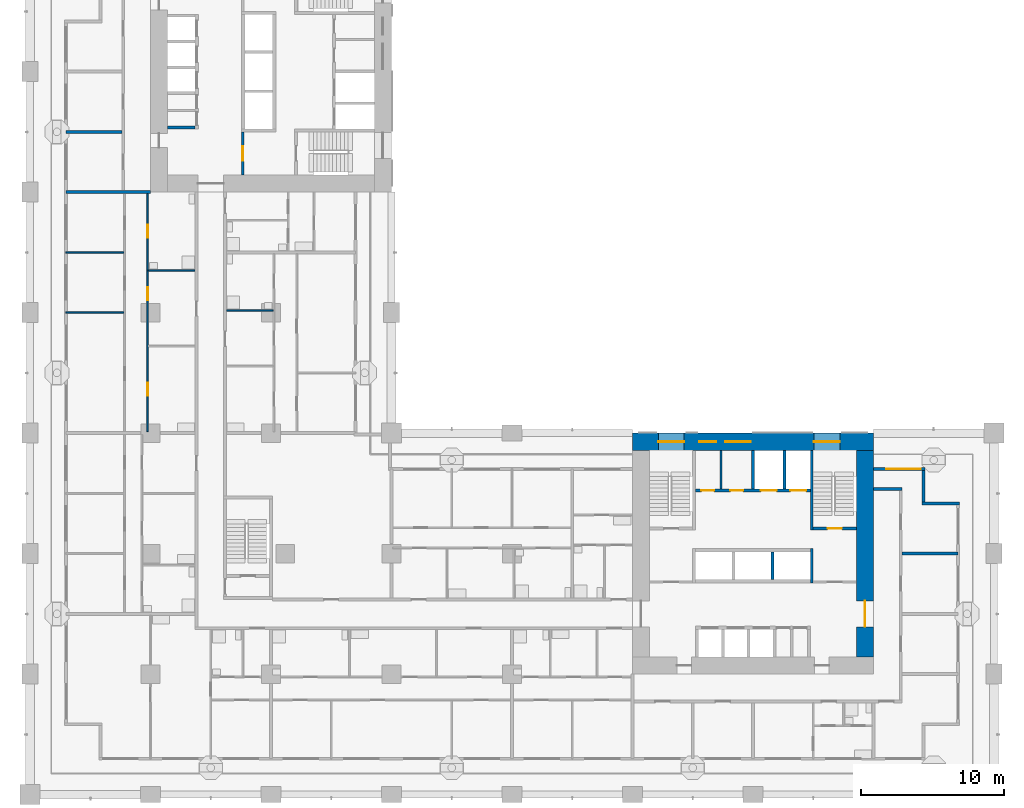
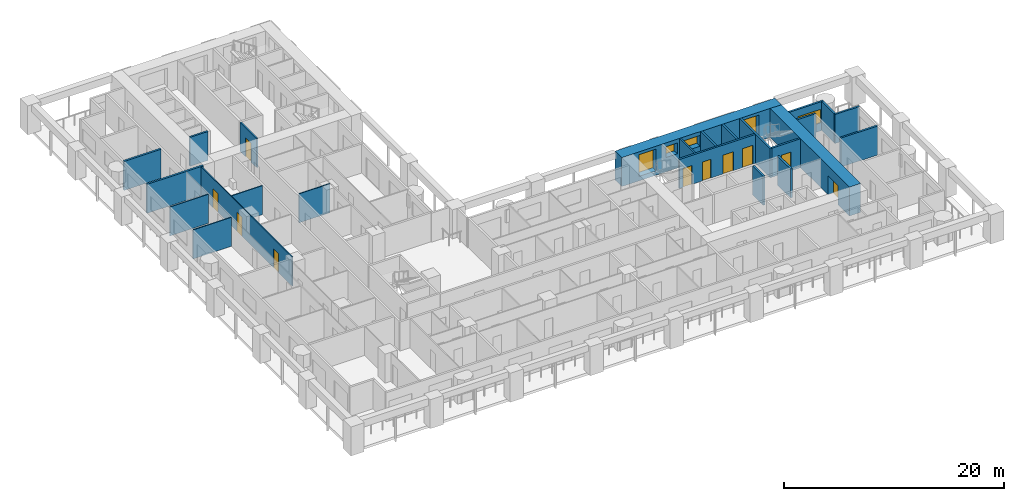
# One storey, part 7 of 20: 24 walls, 10 doors, 5 windows, 15 openings.
"""IFC4 building model written with IfcOpenShell, lengths in metres."""

import ifcopenshell
import ifcopenshell.guid

model = None  # the IFC model being written
_history = None  # IfcOwnerHistory: only IFC2X3 demands one
_inside = {}  # id of a spatial element -> (the spatial element, [elements in it])
_under = {}  # id of a project, library or spatial element -> (it, [spatial elements below it])
_declared = {}  # id of a project -> (the project, [libraries it declares])
_typed = {}  # id of a type object -> (the type object, [elements of that type])
_made_of = {}  # id of a material, layer set ... -> (it, [elements and type objects made of it])


def new_model(schema):
    """Start an empty IFC model of exactly this schema.

    Asked for "IFC4X3", IfcOpenShell would pick the latest addendum, in which some entities
    have other attributes; the version numbers below select the first issue.
    IFC2X3 requires an IfcOwnerHistory on every rooted entity: one is made here for all.
    """
    global model, _history
    if schema == "IFC4X3":
        model = ifcopenshell.file(schema_version=(4, 3, 0, 0))
    else:
        model = ifcopenshell.file(schema=schema)
    _inside.clear()
    _under.clear()
    _declared.clear()
    _typed.clear()
    _made_of.clear()
    _history = None
    if model.schema == "IFC2X3":
        org = make("IfcOrganization", Name="unknown")
        user = make(
            "IfcPersonAndOrganization",
            ThePerson=make("IfcPerson", FamilyName="unknown"),
            TheOrganization=org,
        )
        app = make(
            "IfcApplication",
            ApplicationDeveloper=org,
            Version="unknown",
            ApplicationFullName="unknown",
            ApplicationIdentifier="unknown",
        )
        _history = make(
            "IfcOwnerHistory",
            OwningUser=user,
            OwningApplication=app,
            ChangeAction="ADDED",
            CreationDate=0,
        )
    return model


def make(cls, **values):
    """One entity of the class cls with the attributes given. An attribute that is None is left unset."""
    return model.create_entity(
        cls, **{name: value for name, value in values.items() if value is not None}
    )


def rooted(cls, **values):
    """An entity with a GlobalId (a new one), such as an element, a storey or a relation."""
    return make(cls, GlobalId=ifcopenshell.guid.new(), OwnerHistory=_history, **values)


def si_unit(unit_type, name, prefix=None):
    """IfcSIUnit, for example si_unit("LENGTHUNIT", "METRE", prefix="MILLI")."""
    return make("IfcSIUnit", UnitType=unit_type, Prefix=prefix, Name=name)


def assignment(units):
    """IfcUnitAssignment: the units of a project."""
    return None if units is None else make("IfcUnitAssignment", Units=units)


def point(xyz):
    """IfcCartesianPoint."""
    return None if xyz is None else make("IfcCartesianPoint", Coordinates=xyz)


def direction(xyz):
    """IfcDirection."""
    return None if xyz is None else make("IfcDirection", DirectionRatios=xyz)


def frame(location, z_axis=None, x_axis=None):
    """IfcAxis2Placement3D, a coordinate frame: its origin and axes. An axis left out is left unset."""
    return make(
        "IfcAxis2Placement3D",
        Location=point(location),
        Axis=direction(z_axis),
        RefDirection=direction(x_axis),
    )


def frame_2d(location, x_axis=None):
    """IfcAxis2Placement2D, a coordinate frame in the plane: its origin and x axis."""
    return make(
        "IfcAxis2Placement2D", Location=point(location), RefDirection=direction(x_axis)
    )


def origin():
    """The frame at (0, 0, 0) with its axes left unset."""
    return frame((0.0, 0.0, 0.0))


def place(relative_to, where):
    """IfcLocalPlacement: puts the frame where relative to a parent placement (None: the world)."""
    return make(
        "IfcLocalPlacement", PlacementRelTo=relative_to, RelativePlacement=where
    )


def context(
    kind, dimensions, precision=None, world=None, true_north=None, identifier=None
):
    """IfcGeometricRepresentationContext, for example the 3D "Model" context."""
    return make(
        "IfcGeometricRepresentationContext",
        ContextIdentifier=identifier,
        ContextType=kind,
        CoordinateSpaceDimension=dimensions,
        Precision=precision,
        WorldCoordinateSystem=world,
        TrueNorth=true_north,
    )


def subcontext(parent, identifier, kind, view, scale=None):
    """IfcGeometricRepresentationSubContext, for example "Body" below "Model"."""
    return make(
        "IfcGeometricRepresentationSubContext",
        ContextIdentifier=identifier,
        ContextType=kind,
        ParentContext=parent,
        TargetScale=scale,
        TargetView=view,
    )


def project(units=None, contexts=None):
    """IfcProject with its units and contexts."""
    return rooted(
        "IfcProject",
        Name="project",
        RepresentationContexts=contexts,
        UnitsInContext=assignment(units),
    )


def spatial(cls, under=None, at=None, **own):
    """A site, building, storey or space (cls), placed at a placement, below another one or the project."""
    s = rooted(cls, ObjectPlacement=at, **own)
    if under is not None:
        _under.setdefault(under.id(), (under, []))[1].append(s)
    return s


def profile(cls, at=None, kind="AREA", **sizes):
    """A parametric profile (cls). Its sizes go by their IFC names, for example OverallWidth=200.0."""
    return make(cls, ProfileType=kind, Position=at, **sizes)


def rectangle(**sizes):
    """IfcRectangleProfileDef."""
    return profile("IfcRectangleProfileDef", **sizes)


def extrude(swept, where, along, depth):
    """IfcExtrudedAreaSolid: the profile swept, set in the frame where, extruded along a direction by depth."""
    return make(
        "IfcExtrudedAreaSolid",
        SweptArea=swept,
        Position=where,
        ExtrudedDirection=direction(along),
        Depth=depth,
    )


def shape(context_of_items, identifier, shape_type, items):
    """IfcShapeRepresentation: the items that make up one representation, for example the "Body"."""
    return make(
        "IfcShapeRepresentation",
        ContextOfItems=context_of_items,
        RepresentationIdentifier=identifier,
        RepresentationType=shape_type,
        Items=items,
    )


def material(Name=None, Category=None):
    """IfcMaterial."""
    return make("IfcMaterial", Name=Name, Category=Category)


def layer(
    of_material, thickness, ventilated=None, Name=None, Category=None, Priority=None
):
    """IfcMaterialLayer: one layer of a wall or slab, of a material (None: an air gap)."""
    return make(
        "IfcMaterialLayer",
        Material=of_material,
        LayerThickness=thickness,
        IsVentilated=ventilated,
        Name=Name,
        Category=Category,
        Priority=Priority,
    )


def layer_set(layers, Name=None):
    """IfcMaterialLayerSet."""
    return make("IfcMaterialLayerSet", MaterialLayers=layers, LayerSetName=Name)


def made_of(thing, what):
    """Note that an element or type object is made of a material, layer set ...; save() writes the relation."""
    if what is not None:
        _made_of.setdefault(what.id(), (what, []))[1].append(thing)
    return thing


def type_object(cls, material=None, **own):
    """A type object (cls), such as IfcWallType, which elements share."""
    return made_of(rooted(cls, **own), material)


def element(
    cls,
    number,
    at=None,
    inside=None,
    cuts=None,
    type_object=None,
    material=None,
    context=None,
    identifier="Body",
    shape_type=None,
    held_by="IfcProductDefinitionShape",
    body=None,
    shapes=None,
    **own,
):
    """One element of the class cls, such as IfcWall. Its Tag is "e" and its number.

    at: its placement. inside: the storey or other place that contains it. cuts: it is an
    opening in that element (IfcRelVoidsElement). A single representation is given by context,
    identifier, shape_type and body (its items); several are given by shapes. held_by: the class
    of the entity that holds the representations. save() writes the other relations.
    """
    e = rooted(cls, Tag="e%d" % number, ObjectPlacement=at, **own)
    if body is not None:
        shapes = [shape(context, identifier, shape_type, body)]
    if shapes is not None:
        e.Representation = make(held_by, Representations=shapes)
    if inside is not None:
        _inside.setdefault(inside.id(), (inside, []))[1].append(e)
    if cuts is not None:
        rooted(
            "IfcRelVoidsElement", RelatingBuildingElement=cuts, RelatedOpeningElement=e
        )
    if type_object is not None:
        _typed.setdefault(type_object.id(), (type_object, []))[1].append(e)
    return made_of(e, material)


def fill(opening, filler):
    """IfcRelFillsElement: the door or window that sits in an opening."""
    return rooted(
        "IfcRelFillsElement",
        RelatingOpeningElement=opening,
        RelatedBuildingElement=filler,
    )


def aggregate(whole, parts):
    """IfcRelAggregates: a whole, such as a stair, and the parts it consists of."""
    return rooted("IfcRelAggregates", RelatingObject=whole, RelatedObjects=parts)


def save(model, path):
    """Write the relations noted so far, then the file.

    IfcRelAggregates (storeys below a building ...), IfcRelContainedInSpatialStructure (elements
    in a storey), IfcRelDefinesByType, IfcRelAssociatesMaterial and IfcRelDeclares: one each for
    every whole, place, type object, material and project.
    """
    for whole, parts in _under.values():
        aggregate(whole, parts)
    for where, things in _inside.values():
        rooted(
            "IfcRelContainedInSpatialStructure",
            RelatedElements=things,
            RelatingStructure=where,
        )
    for kind, things in _typed.values():
        rooted("IfcRelDefinesByType", RelatedObjects=things, RelatingType=kind)
    for what, things in _made_of.values():
        rooted("IfcRelAssociatesMaterial", RelatedObjects=things, RelatingMaterial=what)
    for by, libraries in _declared.values():
        rooted("IfcRelDeclares", RelatingContext=by, RelatedDefinitions=libraries)
    model.write(path)


model = new_model("IFC4")

# Units and contexts
model_context = context("Model", 3, precision=1e-05, world=origin(), true_north=direction((0.0, 1.0)))
body_context = subcontext(model_context, "Body", "Model", "MODEL_VIEW")
ifc_project = project(units=[si_unit("LENGTHUNIT", "METRE"), si_unit("AREAUNIT", "SQUARE_METRE"), si_unit("VOLUMEUNIT", "CUBIC_METRE"), si_unit("PLANEANGLEUNIT", "RADIAN"), si_unit("MASSUNIT", "GRAM", prefix="KILO")], contexts=[model_context])

# Site, building, storey
site_placement = place(None, origin())
site = spatial("IfcSite", under=ifc_project, at=site_placement, CompositionType="ELEMENT")
building_placement = place(site_placement, origin())
building = spatial("IfcBuilding", under=site, at=building_placement, Name="Vermilion Gate Residences", CompositionType="ELEMENT")
storey_placement = place(building_placement, frame((0.0, 0.0, 42.699951171875)))
storey = spatial("IfcBuildingStorey", under=building, at=storey_placement, Name="L09", CompositionType="ELEMENT", Elevation=42.699951171875)

# Wall
ifc_material_1 = material(Name="Masonry blockwork", Category="masonry")
ifc_layer_1 = layer(ifc_material_1, 0.14990234375)
ifc_layer_set_1 = layer_set([ifc_layer_1], Name="BLOCKWORK PARTITION 150 EI 120")
wall_type_1 = type_object("IfcWallType", Name="BLOCKWORK PARTITION 150 EI 120", PredefinedType="PARTITIONING", material=ifc_layer_set_1)
wall_1_placement = place(storey_placement, frame((48.16259765625, 21.300048828125, 0.0), z_axis=(0.0, 0.0, 1.0), x_axis=(0.0, 1.0, 0.0)))
element("IfcWall", 1, at=wall_1_placement, inside=storey, type_object=wall_type_1, Name="Core room partition A09-NR-P0", PredefinedType="PARTITIONING", context=body_context, shape_type="SweptSolid", body=[
    extrude(rectangle(XDim=2.699951171875, YDim=0.14990234375, at=frame_2d((1.35009765625, 0.0))), origin(), (0.0, 0.0, 1.0), 3.219970703125),
])

# Wall, opening, door
wall_2_placement = place(storey_placement, frame((14.824951171875, 46.199951171875, 0.0), z_axis=(0.0, 0.0, 1.0), x_axis=(0.0, -1.0, 0.0)))
wall_2 = element("IfcWall", 2, at=wall_2_placement, inside=storey, type_object=wall_type_1, Name="Core room partition B09-VE-S", PredefinedType="PARTITIONING", context=body_context, shape_type="SweptSolid", body=[
    extrude(rectangle(XDim=3.0, YDim=0.14990234375, at=frame_2d((1.5, 0.0))), origin(), (0.0, 0.0, 1.0), 3.219970703125),
])
opening_1_placement = place(wall_2_placement, frame((1.0, 0.0, 0.0)))
opening_1 = element("IfcOpeningElement", 3, at=opening_1_placement, cuts=wall_2, Name="Opening DK09115", PredefinedType="OPENING", context=body_context, shape_type="SweptSolid", body=[
    extrude(rectangle(XDim=1.0, YDim=2.10009765625, at=frame_2d((0.5, 1.050048828125))), frame((0.0, 0.0849609375, 0.0), z_axis=(0.0, -1.0, 0.0), x_axis=(1.0, 0.0, 0.0)), (0.0, 0.0, 1.0), 0.169921875),
])
ifc_material_2 = material(Name="Steel", Category="steel")
door_type_1 = type_object("IfcDoorType", Name="FIRE DOOR FD60 1000 X 2100", OperationType="SINGLE_SWING_LEFT", PredefinedType="DOOR", material=ifc_material_2)
door_1_placement = place(opening_1_placement, frame((1.0, 0.0, 0.0), z_axis=(0.0, 0.0, 1.0), x_axis=(-1.0, 0.0, 0.0)))
door_1 = element("IfcDoor", 4, at=door_1_placement, inside=storey, type_object=door_type_1, Name="Stair vestibule door B09", OperationType="SINGLE_SWING_LEFT", OverallHeight=2.10009765625, OverallWidth=1.0, PredefinedType="DOOR", context=body_context, shape_type="SweptSolid", body=[
    extrude(rectangle(XDim=1.0, YDim=2.10009765625, at=frame_2d((0.5, 1.050048828125))), frame((0.0, 0.02490234375, 0.0), z_axis=(0.0, -1.0, 0.0), x_axis=(1.0, 0.0, 0.0)), (0.0, 0.0, 1.0), 0.050048828125),
])
fill(opening_1, door_1)

# Walls
ifc_material_3 = material(Name="Insulated steel stud wall with terracotta rainscreen", Category="masonry")
ifc_layer_2 = layer(ifc_material_3, 0.199951171875)
ifc_layer_set_2 = layer_set([ifc_layer_2], Name="EXTERNAL WALL 200 TERRACOTTA RAINSCREEN")
wall_type_2 = type_object("IfcWallType", Name="EXTERNAL WALL 200 TERRACOTTA RAINSCREEN", PredefinedType="SOLIDWALL", material=ifc_layer_set_2)
wall_3_placement = place(storey_placement, frame((64.800048828125, 20.300048828125, 0.0), z_axis=(0.0, 0.0, 1.0), x_axis=(-1.0, 0.0, 0.0)))
element("IfcWall", 5, at=wall_3_placement, inside=storey, type_object=wall_type_2, Name="External wall", PredefinedType="SOLIDWALL", context=body_context, shape_type="SweptSolid", body=[
    extrude(rectangle(XDim=2.60009765625, YDim=0.199951171875, at=frame_2d((1.300048828125, 0.0))), origin(), (0.0, 0.0, 1.0), 3.219970703125),
])
wall_4_placement = place(storey_placement, frame((62.300048828125, 20.39990234375, 0.0), z_axis=(0.0, 0.0, 1.0), x_axis=(0.0, 1.0, 0.0)))
element("IfcWall", 6, at=wall_4_placement, inside=storey, type_object=wall_type_2, Name="External wall", PredefinedType="SOLIDWALL", context=body_context, shape_type="SweptSolid", body=[
    extrude(rectangle(XDim=2.2001953125, YDim=0.199951171875, at=frame_2d((1.10009765625, 0.0))), origin(), (0.0, 0.0, 1.0), 3.219970703125),
])

# Wall, opening, window
wall_5_placement = place(storey_placement, frame((62.39990234375, 22.699951171875, 0.0), z_axis=(0.0, 0.0, 1.0), x_axis=(-1.0, 0.0, 0.0)))
wall_5 = element("IfcWall", 7, at=wall_5_placement, inside=storey, type_object=wall_type_2, Name="External wall", PredefinedType="SOLIDWALL", context=body_context, shape_type="SweptSolid", body=[
    extrude(rectangle(XDim=3.599853515625, YDim=0.199951171875, at=frame_2d((1.7998046875, 0.0))), origin(), (0.0, 0.0, 1.0), 3.219970703125),
])
opening_2_placement = place(wall_5_placement, frame((0.300048828125, 0.0, 0.89990234375)))
opening_2 = element("IfcOpeningElement", 8, at=opening_2_placement, cuts=wall_5, Name="Opening WE09032", PredefinedType="OPENING", context=body_context, shape_type="SweptSolid", body=[
    extrude(rectangle(XDim=2.39990234375, YDim=1.5, at=frame_2d((1.199951171875, 0.75))), frame((0.0, 0.10986328125, 0.0), z_axis=(0.0, -1.0, 0.0), x_axis=(1.0, 0.0, 0.0)), (0.0, 0.0, 1.0), 0.219970703125),
])
ifc_material_4 = material(Name="Aluminium and clear glass", Category="aluminium")
window_type_1 = type_object("IfcWindowType", Name="WINDOW 2400 X 1500", PartitioningType="SINGLE_PANEL", PredefinedType="WINDOW", material=ifc_material_4)
window_1_placement = place(opening_2_placement, origin())
window_1 = element("IfcWindow", 9, at=window_1_placement, inside=storey, type_object=window_type_1, Name="Window", OverallHeight=1.5, OverallWidth=2.39990234375, PartitioningType="SINGLE_PANEL", PredefinedType="WINDOW", context=body_context, shape_type="SweptSolid", body=[
    extrude(rectangle(XDim=2.39990234375, YDim=1.5, at=frame_2d((1.199951171875, 0.75))), frame((0.0, 0.030029296875, 0.0), z_axis=(0.0, -1.0, 0.0), x_axis=(1.0, 0.0, 0.0)), (0.0, 0.0, 1.0), 0.06005859375),
])
fill(opening_2, window_1)

# Walls
ifc_material_5 = material(Name="Plasterboard on steel studs", Category="steel")
ifc_layer_3 = layer(ifc_material_5, 0.10009765625)
ifc_layer_set_3 = layer_set([ifc_layer_3], Name="PARTITION 100")
wall_type_3 = type_object("IfcWallType", Name="PARTITION 100", PredefinedType="PARTITIONING", material=ifc_layer_set_3)
wall_6_placement = place(storey_placement, frame((2.5, 33.60009765625, 0.0), z_axis=(0.0, 0.0, 1.0), x_axis=(1.0, 0.0, 0.0)))
element("IfcWall", 10, at=wall_6_placement, inside=storey, type_object=wall_type_3, Name="Partition", PredefinedType="PARTITIONING", context=body_context, shape_type="SweptSolid", body=[
    extrude(rectangle(XDim=4.050048828125, YDim=0.10009765625, at=frame_2d((2.02490234375, 0.0))), origin(), (0.0, 0.0, 1.0), 3.219970703125),
])
for number, where, z_axis, x_axis, name in (
    (11, (13.699951171875, 33.73291015625, 0.0), (0.0, 0.0, 1.0), (1.0, 0.0, 0.0), "Partition"),
    (12, (8.25, 36.532958984375, 0.0), (0.0, 0.0, 1.0), (1.0, 0.0, 0.0), "Partition"),
):
    element("IfcWall", number, at=place(storey_placement, frame(where, z_axis=z_axis, x_axis=x_axis)), inside=storey, type_object=wall_type_3, Name=name, PredefinedType="PARTITIONING", context=body_context, shape_type="SweptSolid", body=[
        extrude(rectangle(XDim=3.25, YDim=0.10009765625, at=frame_2d((1.625, 0.0))), origin(), (0.0, 0.0, 1.0), 3.219970703125),
    ])
wall_7_placement = place(storey_placement, frame((2.5, 37.800048828125, 0.0), z_axis=(0.0, 0.0, 1.0), x_axis=(1.0, 0.0, 0.0)))
element("IfcWall", 13, at=wall_7_placement, inside=storey, type_object=wall_type_3, Name="Partition", PredefinedType="PARTITIONING", context=body_context, shape_type="SweptSolid", body=[
    extrude(rectangle(XDim=4.050048828125, YDim=0.10009765625, at=frame_2d((2.02490234375, 0.0))), origin(), (0.0, 0.0, 1.0), 3.219970703125),
])

# Wall, openings, doors
wall_8_placement = place(storey_placement, frame((8.199951171875, 25.300048828125, 0.0), z_axis=(0.0, 0.0, 1.0), x_axis=(0.0, 1.0, 0.0)))
wall_8 = element("IfcWall", 14, at=wall_8_placement, inside=storey, type_object=wall_type_3, Name="Partition", PredefinedType="PARTITIONING", context=body_context, shape_type="SweptSolid", body=[
    extrude(rectangle(XDim=16.599853515625, YDim=0.10009765625, at=frame_2d((8.2998046875, 0.0))), origin(), (0.0, 0.0, 1.0), 3.219970703125),
])
opening_3_placement = place(wall_8_placement, frame((9.1669921875, 0.0, 0.0)))
opening_3 = element("IfcOpeningElement", 15, at=opening_3_placement, cuts=wall_8, Name="Opening DA07048", PredefinedType="OPENING", context=body_context, shape_type="SweptSolid", body=[
    extrude(rectangle(XDim=0.89990234375, YDim=2.10009765625, at=frame_2d((0.449951171875, 1.050048828125))), frame((0.0, 0.06005859375, 0.0), z_axis=(0.0, -1.0, 0.0), x_axis=(1.0, 0.0, 0.0)), (0.0, 0.0, 1.0), 0.1201171875),
])
opening_4_placement = place(wall_8_placement, frame((2.5, 0.0, 0.0)))
opening_4 = element("IfcOpeningElement", 16, at=opening_4_placement, cuts=wall_8, Name="Opening DA07049", PredefinedType="OPENING", context=body_context, shape_type="SweptSolid", body=[
    extrude(rectangle(XDim=0.89990234375, YDim=2.10009765625, at=frame_2d((0.449951171875, 1.050048828125))), frame((0.0, 0.06005859375, 0.0), z_axis=(0.0, -1.0, 0.0), x_axis=(1.0, 0.0, 0.0)), (0.0, 0.0, 1.0), 0.1201171875),
])
opening_5_placement = place(wall_8_placement, frame((13.532958984375, 0.0, 0.0)))
opening_5 = element("IfcOpeningElement", 17, at=opening_5_placement, cuts=wall_8, Name="Opening DA07050", PredefinedType="OPENING", context=body_context, shape_type="SweptSolid", body=[
    extrude(rectangle(XDim=0.89990234375, YDim=2.10009765625, at=frame_2d((0.449951171875, 1.050048828125))), frame((0.0, 0.06005859375, 0.0), z_axis=(0.0, -1.0, 0.0), x_axis=(1.0, 0.0, 0.0)), (0.0, 0.0, 1.0), 0.1201171875),
])
ifc_material_6 = material(Name="Timber", Category="wood")
door_type_2 = type_object("IfcDoorType", Name="INTERIOR DOOR 900 X 2100", OperationType="SINGLE_SWING_LEFT", PredefinedType="DOOR", material=ifc_material_6)
door_2_placement = place(opening_3_placement, frame((0.89990234375, 0.0, 0.0), z_axis=(0.0, 0.0, 1.0), x_axis=(-1.0, 0.0, 0.0)))
door_2 = element("IfcDoor", 18, at=door_2_placement, inside=storey, type_object=door_type_2, Name="Interior door", OperationType="SINGLE_SWING_RIGHT", OverallHeight=2.10009765625, OverallWidth=0.89990234375, PredefinedType="DOOR", context=body_context, shape_type="SweptSolid", body=[
    extrude(rectangle(XDim=0.89990234375, YDim=2.10009765625, at=frame_2d((0.449951171875, 1.050048828125))), frame((0.0, 0.02490234375, 0.0), z_axis=(0.0, -1.0, 0.0), x_axis=(1.0, 0.0, 0.0)), (0.0, 0.0, 1.0), 0.050048828125),
])
fill(opening_3, door_2)
door_3_placement = place(opening_4_placement, frame((0.89990234375, 0.0, 0.0), z_axis=(0.0, 0.0, 1.0), x_axis=(-1.0, 0.0, 0.0)))
door_3 = element("IfcDoor", 19, at=door_3_placement, inside=storey, type_object=door_type_2, Name="Interior door", OperationType="SINGLE_SWING_RIGHT", OverallHeight=2.10009765625, OverallWidth=0.89990234375, PredefinedType="DOOR", context=body_context, shape_type="SweptSolid", body=[
    extrude(rectangle(XDim=0.89990234375, YDim=2.10009765625, at=frame_2d((0.449951171875, 1.050048828125))), frame((0.0, 0.02490234375, 0.0), z_axis=(0.0, -1.0, 0.0), x_axis=(1.0, 0.0, 0.0)), (0.0, 0.0, 1.0), 0.050048828125),
])
fill(opening_4, door_3)
door_4_placement = place(opening_5_placement, frame((0.89990234375, 0.0, 0.0), z_axis=(0.0, 0.0, 1.0), x_axis=(-1.0, 0.0, 0.0)))
door_4 = element("IfcDoor", 20, at=door_4_placement, inside=storey, type_object=door_type_2, Name="Interior door", OperationType="SINGLE_SWING_RIGHT", OverallHeight=2.10009765625, OverallWidth=0.89990234375, PredefinedType="DOOR", context=body_context, shape_type="SweptSolid", body=[
    extrude(rectangle(XDim=0.89990234375, YDim=2.10009765625, at=frame_2d((0.449951171875, 1.050048828125))), frame((0.0, 0.02490234375, 0.0), z_axis=(0.0, -1.0, 0.0), x_axis=(1.0, 0.0, 0.0)), (0.0, 0.0, 1.0), 0.050048828125),
])
fill(opening_5, door_4)

# Walls
ifc_material_7 = material(Name="Fire-rated plasterboard on steel studs", Category="steel")
ifc_layer_4 = layer(ifc_material_7, 0.199951171875)
ifc_layer_set_4 = layer_set([ifc_layer_4], Name="PARTY WALL 200 EI 120")
wall_type_4 = type_object("IfcWallType", Name="PARTY WALL 200 EI 120", PredefinedType="PARTITIONING", material=ifc_layer_set_4)
wall_9_placement = place(storey_placement, frame((60.800048828125, 16.800048828125, 0.0), z_axis=(0.0, 0.0, 1.0), x_axis=(1.0, 0.0, 0.0)))
element("IfcWall", 21, at=wall_9_placement, inside=storey, type_object=wall_type_4, Name="Party and corridor wall", PredefinedType="PARTITIONING", context=body_context, shape_type="SweptSolid", body=[
    extrude(rectangle(XDim=3.89990234375, YDim=0.199951171875, at=frame_2d((1.949951171875, 0.0))), origin(), (0.0, 0.0, 1.0), 3.219970703125),
])
wall_10_placement = place(storey_placement, frame((58.800048828125, 21.300048828125, 0.0), z_axis=(0.0, 0.0, 1.0), x_axis=(1.0, 0.0, 0.0)))
element("IfcWall", 22, at=wall_10_placement, inside=storey, type_object=wall_type_4, Name="Party and corridor wall", PredefinedType="PARTITIONING", context=body_context, shape_type="SweptSolid", body=[
    extrude(rectangle(XDim=2.0, YDim=0.199951171875, at=frame_2d((1.0, 0.0))), origin(), (0.0, 0.0, 1.0), 3.219970703125),
])
wall_11_placement = place(storey_placement, frame((2.5, 42.0, 0.0), z_axis=(0.0, 0.0, 1.0), x_axis=(1.0, 0.0, 0.0)))
element("IfcWall", 23, at=wall_11_placement, inside=storey, type_object=wall_type_4, Name="Party and corridor wall", PredefinedType="PARTITIONING", context=body_context, shape_type="SweptSolid", body=[
    extrude(rectangle(XDim=5.89990234375, YDim=0.199951171875, at=frame_2d((2.949951171875, 0.0))), origin(), (0.0, 0.0, 1.0), 3.219970703125),
])
wall_12_placement = place(storey_placement, frame((2.5, 46.199951171875, 0.0), z_axis=(0.0, 0.0, 1.0), x_axis=(1.0, 0.0, 0.0)))
element("IfcWall", 24, at=wall_12_placement, inside=storey, type_object=wall_type_4, Name="Party and corridor wall", PredefinedType="PARTITIONING", context=body_context, shape_type="SweptSolid", body=[
    extrude(rectangle(XDim=3.89990234375, YDim=0.199951171875, at=frame_2d((1.949951171875, 0.0))), origin(), (0.0, 0.0, 1.0), 3.219970703125),
])
ifc_material_8 = material(Name="Concrete C60", Category="concrete")
ifc_layer_5 = layer(ifc_material_8, 0.199951171875)
ifc_layer_set_5 = layer_set([ifc_layer_5], Name="RC CORE INTERNAL WALL 200 C60")
wall_type_5 = type_object("IfcWallType", Name="RC CORE INTERNAL WALL 200 C60", PredefinedType="SHEAR", material=ifc_layer_set_5)
wall_13_placement = place(storey_placement, frame((51.7666015625, 15.0, 0.0), z_axis=(0.0, 0.0, 1.0), x_axis=(0.0, 1.0, 0.0)))
element("IfcWall", 25, at=wall_13_placement, inside=storey, type_object=wall_type_5, Name="Core internal wall A09-HR-D2", PredefinedType="SHEAR", context=body_context, shape_type="SweptSolid", body=[
    extrude(rectangle(XDim=1.89990234375, YDim=0.199951171875, at=frame_2d((0.949951171875, 0.0))), origin(), (0.0, 0.0, 1.0), 3.219970703125),
])
for number, where, z_axis, x_axis, name in (
    (26, (50.39990234375, 21.300048828125, 0.0), (0.0, 0.0, 1.0), (0.0, 1.0, 0.0), "Core internal wall A09-FF-D0"),
    (27, (52.60009765625, 21.300048828125, 0.0), (0.0, 0.0, 1.0), (0.0, 1.0, 0.0), "Core internal wall A09-FF-D1"),
):
    element("IfcWall", number, at=place(storey_placement, frame(where, z_axis=z_axis, x_axis=x_axis)), inside=storey, type_object=wall_type_5, Name=name, PredefinedType="SHEAR", context=body_context, shape_type="SweptSolid", body=[
        extrude(rectangle(XDim=2.699951171875, YDim=0.199951171875, at=frame_2d((1.35009765625, 0.0))), origin(), (0.0, 0.0, 1.0), 3.219970703125),
    ])

# Wall, openings, doors
wall_14_placement = place(storey_placement, frame((46.39990234375, 21.199951171875, 0.0), z_axis=(0.0, 0.0, 1.0), x_axis=(1.0, 0.0, 0.0)))
wall_14 = element("IfcWall", 28, at=wall_14_placement, inside=storey, type_object=wall_type_5, Name="Core internal wall A09-FF-F", PredefinedType="SHEAR", context=body_context, shape_type="SweptSolid", body=[
    extrude(rectangle(XDim=8.0, YDim=0.199951171875, at=frame_2d((4.0, 0.0))), origin(), (0.0, 0.0, 1.0), 3.219970703125),
])
opening_6_placement = place(wall_14_placement, frame((0.393798828125, 0.0, 0.0)))
opening_6 = element("IfcOpeningElement", 29, at=opening_6_placement, cuts=wall_14, Name="Opening DK09010", PredefinedType="OPENING", context=body_context, shape_type="SweptSolid", body=[
    extrude(rectangle(XDim=0.89990234375, YDim=2.10009765625, at=frame_2d((0.449951171875, 1.050048828125))), frame((0.0, 0.10986328125, 0.0), z_axis=(0.0, -1.0, 0.0), x_axis=(1.0, 0.0, 0.0)), (0.0, 0.0, 1.0), 0.219970703125),
])
opening_7_placement = place(wall_14_placement, frame((2.418701171875, 0.0, 0.0)))
opening_7 = element("IfcOpeningElement", 30, at=opening_7_placement, cuts=wall_14, Name="Opening DK09011", PredefinedType="OPENING", context=body_context, shape_type="SweptSolid", body=[
    extrude(rectangle(XDim=0.89990234375, YDim=2.10009765625, at=frame_2d((0.449951171875, 1.050048828125))), frame((0.0, 0.10986328125, 0.0), z_axis=(0.0, -1.0, 0.0), x_axis=(1.0, 0.0, 0.0)), (0.0, 0.0, 1.0), 0.219970703125),
])
opening_8_placement = place(wall_14_placement, frame((4.550048828125, 0.0, 0.0)))
opening_8 = element("IfcOpeningElement", 31, at=opening_8_placement, cuts=wall_14, Name="Opening LD", PredefinedType="OPENING", context=body_context, shape_type="SweptSolid", body=[
    extrude(rectangle(XDim=1.10009765625, YDim=2.10009765625, at=frame_2d((0.550048828125, 1.050048828125))), frame((0.0, 0.10986328125, 0.0), z_axis=(0.0, -1.0, 0.0), x_axis=(1.0, 0.0, 0.0)), (0.0, 0.0, 1.0), 0.219970703125),
])
opening_9_placement = place(wall_14_placement, frame((6.60009765625, 0.0, 0.0)))
opening_9 = element("IfcOpeningElement", 32, at=opening_9_placement, cuts=wall_14, Name="Opening LD", PredefinedType="OPENING", context=body_context, shape_type="SweptSolid", body=[
    extrude(rectangle(XDim=1.10009765625, YDim=2.10009765625, at=frame_2d((0.550048828125, 1.050048828125))), frame((0.0, 0.10986328125, 0.0), z_axis=(0.0, -1.0, 0.0), x_axis=(1.0, 0.0, 0.0)), (0.0, 0.0, 1.0), 0.219970703125),
])
ifc_material_9 = material(Name="Stainless steel", Category="steel")
door_type_3 = type_object("IfcDoorType", Name="LIFT LANDING DOOR E60 1100 X 2100", OperationType="DOUBLE_DOOR_SLIDING", PredefinedType="DOOR", material=ifc_material_9)
door_5_placement = place(opening_8_placement, origin())
door_5 = element("IfcDoor", 33, at=door_5_placement, inside=storey, type_object=door_type_3, Name="Lift landing door LFA1", OperationType="DOUBLE_DOOR_SLIDING", OverallHeight=2.10009765625, OverallWidth=1.10009765625, PredefinedType="DOOR", context=body_context, shape_type="SweptSolid", body=[
    extrude(rectangle(XDim=1.10009765625, YDim=2.10009765625, at=frame_2d((0.550048828125, 1.050048828125))), frame((0.0, 0.02490234375, 0.0), z_axis=(0.0, -1.0, 0.0), x_axis=(1.0, 0.0, 0.0)), (0.0, 0.0, 1.0), 0.050048828125),
])
fill(opening_8, door_5)
door_6_placement = place(opening_9_placement, origin())
door_6 = element("IfcDoor", 34, at=door_6_placement, inside=storey, type_object=door_type_3, Name="Lift landing door LCA1", OperationType="DOUBLE_DOOR_SLIDING", OverallHeight=2.10009765625, OverallWidth=1.10009765625, PredefinedType="DOOR", context=body_context, shape_type="SweptSolid", body=[
    extrude(rectangle(XDim=1.10009765625, YDim=2.10009765625, at=frame_2d((0.550048828125, 1.050048828125))), frame((0.0, 0.02490234375, 0.0), z_axis=(0.0, -1.0, 0.0), x_axis=(1.0, 0.0, 0.0)), (0.0, 0.0, 1.0), 0.050048828125),
])
fill(opening_9, door_6)
ifc_material_10 = material(Name="Steel", Category="steel")
door_type_4 = type_object("IfcDoorType", Name="SERVICE ROOM DOOR FD60 900 X 2100", OperationType="SINGLE_SWING_LEFT", PredefinedType="DOOR", material=ifc_material_10)
door_7_placement = place(opening_6_placement, origin())
door_7 = element("IfcDoor", 35, at=door_7_placement, inside=storey, type_object=door_type_4, Name="Communications riser A09", OperationType="SINGLE_SWING_LEFT", OverallHeight=2.10009765625, OverallWidth=0.89990234375, PredefinedType="DOOR", context=body_context, shape_type="SweptSolid", body=[
    extrude(rectangle(XDim=0.89990234375, YDim=2.10009765625, at=frame_2d((0.449951171875, 1.050048828125))), frame((0.0, 0.02490234375, 0.0), z_axis=(0.0, -1.0, 0.0), x_axis=(1.0, 0.0, 0.0)), (0.0, 0.0, 1.0), 0.050048828125),
])
fill(opening_6, door_7)
door_8_placement = place(opening_7_placement, origin())
door_8 = element("IfcDoor", 36, at=door_8_placement, inside=storey, type_object=door_type_4, Name="Refuse room A09", OperationType="SINGLE_SWING_LEFT", OverallHeight=2.10009765625, OverallWidth=0.89990234375, PredefinedType="DOOR", context=body_context, shape_type="SweptSolid", body=[
    extrude(rectangle(XDim=0.89990234375, YDim=2.10009765625, at=frame_2d((0.449951171875, 1.050048828125))), frame((0.0, 0.02490234375, 0.0), z_axis=(0.0, -1.0, 0.0), x_axis=(1.0, 0.0, 0.0)), (0.0, 0.0, 1.0), 0.050048828125),
])
fill(opening_7, door_8)

# Walls
wall_15_placement = place(storey_placement, frame((54.5, 14.75, 0.0), z_axis=(0.0, 0.0, 1.0), x_axis=(0.0, 1.0, 0.0)))
element("IfcWall", 37, at=wall_15_placement, inside=storey, type_object=wall_type_5, Name="Core internal wall A09-EDIV1", PredefinedType="SHEAR", context=body_context, shape_type="SweptSolid", body=[
    extrude(rectangle(XDim=2.39990234375, YDim=0.199951171875, at=frame_2d((1.199951171875, 0.0))), origin(), (0.0, 0.0, 1.0), 3.219970703125),
])
wall_16_placement = place(storey_placement, frame((54.5, 18.449951171875, 0.0), z_axis=(0.0, 0.0, 1.0), x_axis=(0.0, 1.0, 0.0)))
element("IfcWall", 38, at=wall_16_placement, inside=storey, type_object=wall_type_5, Name="Core internal wall A09-EDIV2", PredefinedType="SHEAR", context=body_context, shape_type="SweptSolid", body=[
    extrude(rectangle(XDim=5.550048828125, YDim=0.199951171875, at=frame_2d((2.77490234375, 0.0))), origin(), (0.0, 0.0, 1.0), 3.219970703125),
])

# Wall, opening, door
wall_17_placement = place(storey_placement, frame((54.60009765625, 18.550048828125, 0.0), z_axis=(0.0, 0.0, 1.0), x_axis=(1.0, 0.0, 0.0)))
wall_17 = element("IfcWall", 39, at=wall_17_placement, inside=storey, type_object=wall_type_5, Name="Core internal wall A09-STE-S", PredefinedType="SHEAR", context=body_context, shape_type="SweptSolid", body=[
    extrude(rectangle(XDim=3.0, YDim=0.199951171875, at=frame_2d((1.5, 0.0))), origin(), (0.0, 0.0, 1.0), 3.219970703125),
])
opening_10_placement = place(wall_17_placement, frame((1.0, 0.0, 0.0)))
opening_10 = element("IfcOpeningElement", 40, at=opening_10_placement, cuts=wall_17, Name="Opening DK09017", PredefinedType="OPENING", context=body_context, shape_type="SweptSolid", body=[
    extrude(rectangle(XDim=1.0, YDim=2.10009765625, at=frame_2d((0.5, 1.050048828125))), frame((0.0, 0.10986328125, 0.0), z_axis=(0.0, -1.0, 0.0), x_axis=(1.0, 0.0, 0.0)), (0.0, 0.0, 1.0), 0.219970703125),
])
door_9_placement = place(opening_10_placement, origin())
door_9 = element("IfcDoor", 41, at=door_9_placement, inside=storey, type_object=door_type_1, Name="Stair door A09", OperationType="SINGLE_SWING_LEFT", OverallHeight=2.10009765625, OverallWidth=1.0, PredefinedType="DOOR", context=body_context, shape_type="SweptSolid", body=[
    extrude(rectangle(XDim=1.0, YDim=2.10009765625, at=frame_2d((0.5, 1.050048828125))), frame((0.0, 0.02490234375, 0.0), z_axis=(0.0, -1.0, 0.0), x_axis=(1.0, 0.0, 0.0)), (0.0, 0.0, 1.0), 0.050048828125),
])
fill(opening_10, door_9)

# Wall
wall_18_placement = place(storey_placement, frame((9.60009765625, 46.5, 0.0), z_axis=(0.0, 0.0, 1.0), x_axis=(1.0, 0.0, 0.0)))
element("IfcWall", 42, at=wall_18_placement, inside=storey, type_object=wall_type_5, Name="Core internal wall B09-LR-DE", PredefinedType="SHEAR", context=body_context, shape_type="SweptSolid", body=[
    extrude(rectangle(XDim=1.89990234375, YDim=0.199951171875, at=frame_2d((0.949951171875, 0.0))), origin(), (0.0, 0.0, 1.0), 3.219970703125),
])

# Wall, opening, door
ifc_material_11 = material(Name="Concrete C80", Category="concrete")
ifc_layer_6 = layer(ifc_material_11, 1.199951171875)
ifc_layer_set_6 = layer_set([ifc_layer_6], Name="RC CORE WALL 1200 C80")
wall_type_6 = type_object("IfcWallType", Name="RC CORE WALL 1200 C80", PredefinedType="SHEAR", material=ifc_layer_set_6)
wall_19_placement = place(storey_placement, frame((58.199951171875, 9.60009765625, 0.0), z_axis=(0.0, 0.0, 1.0), x_axis=(0.0, 1.0, 0.0)))
wall_19 = element("IfcWall", 43, at=wall_19_placement, inside=storey, type_object=wall_type_6, Name="Core wall A09-OUT-BK", PredefinedType="SHEAR", context=body_context, shape_type="SweptSolid", body=[
    extrude(rectangle(XDim=14.39990234375, YDim=1.199951171875, at=frame_2d((7.199951171875, 0.0))), origin(), (0.0, 0.0, 1.0), 3.219970703125),
])
opening_11_placement = place(wall_19_placement, frame((2.10009765625, 0.0, 0.0)))
opening_11 = element("IfcOpeningElement", 44, at=opening_11_placement, cuts=wall_19, Name="Opening DK09004", PredefinedType="OPENING", context=body_context, shape_type="SweptSolid", body=[
    extrude(rectangle(XDim=1.800048828125, YDim=2.10009765625, at=frame_2d((0.89990234375, 1.050048828125))), frame((0.0, 0.60986328125, 0.0), z_axis=(0.0, -1.0, 0.0), x_axis=(1.0, 0.0, 0.0)), (0.0, 0.0, 1.0), 1.219970703125),
])
ifc_material_12 = material(Name="Steel", Category="steel")
door_type_5 = type_object("IfcDoorType", Name="CORE LOBBY DOOR FD60 1800 X 2100", OperationType="DOUBLE_DOOR_SINGLE_SWING", PredefinedType="DOOR", material=ifc_material_12)
door_10_placement = place(opening_11_placement, origin())
door_10 = element("IfcDoor", 45, at=door_10_placement, inside=storey, type_object=door_type_5, Name="Core lobby door A09", OperationType="DOUBLE_DOOR_SINGLE_SWING", OverallHeight=2.10009765625, OverallWidth=1.800048828125, PredefinedType="DOOR", context=body_context, shape_type="SweptSolid", body=[
    extrude(rectangle(XDim=1.800048828125, YDim=2.10009765625, at=frame_2d((0.89990234375, 1.050048828125))), frame((0.0, 0.02490234375, 0.0), z_axis=(0.0, -1.0, 0.0), x_axis=(1.0, 0.0, 0.0)), (0.0, 0.0, 1.0), 0.050048828125),
])
fill(opening_11, door_10)

# Wall, openings, windows
ifc_material_13 = material(Name="Concrete C80 red-oxide pigmented", Category="concrete")
ifc_layer_7 = layer(ifc_material_13, 1.199951171875)
ifc_layer_set_7 = layer_set([ifc_layer_7], Name="RC CORE WALL 1200 C80 RED OXIDE")
wall_type_7 = type_object("IfcWallType", Name="RC CORE WALL 1200 C80 RED OXIDE", PredefinedType="SHEAR", material=ifc_layer_set_7)
wall_20_placement = place(storey_placement, frame((42.0, 24.60009765625, 0.0), z_axis=(0.0, 0.0, 1.0), x_axis=(1.0, 0.0, 0.0)))
wall_20 = element("IfcWall", 46, at=wall_20_placement, inside=storey, type_object=wall_type_7, Name="Core wall A09-OUT-B1", PredefinedType="SHEAR", context=body_context, shape_type="SweptSolid", body=[
    extrude(rectangle(XDim=16.800048828125, YDim=1.199951171875, at=frame_2d((8.39990234375, 0.0))), origin(), (0.0, 0.0, 1.0), 3.219970703125),
])
opening_12_placement = place(wall_20_placement, frame((1.800048828125, 0.0, 0.5)))
opening_12 = element("IfcOpeningElement", 47, at=opening_12_placement, cuts=wall_20, Name="Opening WKA0901", PredefinedType="OPENING", context=body_context, shape_type="SweptSolid", body=[
    extrude(rectangle(XDim=1.800048828125, YDim=2.39990234375, at=frame_2d((0.89990234375, 1.199951171875))), frame((0.0, 0.60986328125, 0.0), z_axis=(0.0, -1.0, 0.0), x_axis=(1.0, 0.0, 0.0)), (0.0, 0.0, 1.0), 1.219970703125),
])
opening_13_placement = place(wall_20_placement, frame((4.643798828125, 0.0, 1.60009765625)))
opening_13 = element("IfcOpeningElement", 48, at=opening_13_placement, cuts=wall_20, Name="Opening WKA0902", PredefinedType="OPENING", context=body_context, shape_type="SweptSolid", body=[
    extrude(rectangle(XDim=1.199951171875, YDim=1.199951171875, at=frame_2d((0.60009765625, 0.60009765625))), frame((0.0, 0.60986328125, 0.0), z_axis=(0.0, -1.0, 0.0), x_axis=(1.0, 0.0, 0.0)), (0.0, 0.0, 1.0), 1.219970703125),
])
opening_14_placement = place(wall_20_placement, frame((6.449951171875, 0.0, 1.60009765625)))
opening_14 = element("IfcOpeningElement", 49, at=opening_14_placement, cuts=wall_20, Name="Opening WKA0903", PredefinedType="OPENING", context=body_context, shape_type="SweptSolid", body=[
    extrude(rectangle(XDim=1.800048828125, YDim=1.199951171875, at=frame_2d((0.89990234375, 0.60009765625))), frame((0.0, 0.60986328125, 0.0), z_axis=(0.0, -1.0, 0.0), x_axis=(1.0, 0.0, 0.0)), (0.0, 0.0, 1.0), 1.219970703125),
])
opening_15_placement = place(wall_20_placement, frame((12.64990234375, 0.0, 0.5)))
opening_15 = element("IfcOpeningElement", 50, at=opening_15_placement, cuts=wall_20, Name="Opening WKA0904", PredefinedType="OPENING", context=body_context, shape_type="SweptSolid", body=[
    extrude(rectangle(XDim=1.800048828125, YDim=2.39990234375, at=frame_2d((0.89990234375, 1.199951171875))), frame((0.0, 0.60986328125, 0.0), z_axis=(0.0, -1.0, 0.0), x_axis=(1.0, 0.0, 0.0)), (0.0, 0.0, 1.0), 1.219970703125),
])
ifc_material_14 = material(Name="Aluminium frame with louvre blades", Category="aluminium")
window_type_2 = type_object("IfcWindowType", Name="CORE LOUVRE 1200 X 1200", PartitioningType="SINGLE_PANEL", PredefinedType="WINDOW", material=ifc_material_14)
window_2_placement = place(opening_13_placement, origin())
window_2 = element("IfcWindow", 51, at=window_2_placement, inside=storey, type_object=window_type_2, Name="Core louvre", OverallHeight=1.199951171875, OverallWidth=1.199951171875, PartitioningType="SINGLE_PANEL", PredefinedType="WINDOW", context=body_context, shape_type="SweptSolid", body=[
    extrude(rectangle(XDim=1.199951171875, YDim=1.199951171875, at=frame_2d((0.60009765625, 0.60009765625))), frame((0.0, 0.030029296875, 0.0), z_axis=(0.0, -1.0, 0.0), x_axis=(1.0, 0.0, 0.0)), (0.0, 0.0, 1.0), 0.06005859375),
])
fill(opening_13, window_2)
ifc_material_15 = material(Name="Aluminium frame with louvre blades", Category="aluminium")
window_type_3 = type_object("IfcWindowType", Name="CORE LOUVRE 1800 X 1200", PartitioningType="SINGLE_PANEL", PredefinedType="WINDOW", material=ifc_material_15)
window_3_placement = place(opening_14_placement, origin())
window_3 = element("IfcWindow", 52, at=window_3_placement, inside=storey, type_object=window_type_3, Name="Core louvre", OverallHeight=1.199951171875, OverallWidth=1.800048828125, PartitioningType="SINGLE_PANEL", PredefinedType="WINDOW", context=body_context, shape_type="SweptSolid", body=[
    extrude(rectangle(XDim=1.800048828125, YDim=1.199951171875, at=frame_2d((0.89990234375, 0.60009765625))), frame((0.0, 0.030029296875, 0.0), z_axis=(0.0, -1.0, 0.0), x_axis=(1.0, 0.0, 0.0)), (0.0, 0.0, 1.0), 0.06005859375),
])
fill(opening_14, window_3)
ifc_material_16 = material(Name="Aluminium and clear glass", Category="aluminium")
window_type_4 = type_object("IfcWindowType", Name="CORE STAIR WINDOW 1800 X 2400", PartitioningType="SINGLE_PANEL", PredefinedType="WINDOW", material=ifc_material_16)
window_4_placement = place(opening_12_placement, origin())
window_4 = element("IfcWindow", 53, at=window_4_placement, inside=storey, type_object=window_type_4, Name="Core stair window", OverallHeight=2.39990234375, OverallWidth=1.800048828125, PartitioningType="SINGLE_PANEL", PredefinedType="WINDOW", context=body_context, shape_type="SweptSolid", body=[
    extrude(rectangle(XDim=1.800048828125, YDim=2.39990234375, at=frame_2d((0.89990234375, 1.199951171875))), frame((0.0, 0.030029296875, 0.0), z_axis=(0.0, -1.0, 0.0), x_axis=(1.0, 0.0, 0.0)), (0.0, 0.0, 1.0), 0.06005859375),
])
fill(opening_12, window_4)
window_5_placement = place(opening_15_placement, origin())
window_5 = element("IfcWindow", 54, at=window_5_placement, inside=storey, type_object=window_type_4, Name="Core stair window", OverallHeight=2.39990234375, OverallWidth=1.800048828125, PartitioningType="SINGLE_PANEL", PredefinedType="WINDOW", context=body_context, shape_type="SweptSolid", body=[
    extrude(rectangle(XDim=1.800048828125, YDim=2.39990234375, at=frame_2d((0.89990234375, 1.199951171875))), frame((0.0, 0.030029296875, 0.0), z_axis=(0.0, -1.0, 0.0), x_axis=(1.0, 0.0, 0.0)), (0.0, 0.0, 1.0), 0.06005859375),
])
fill(opening_15, window_5)

save(model, "model.ifc")
